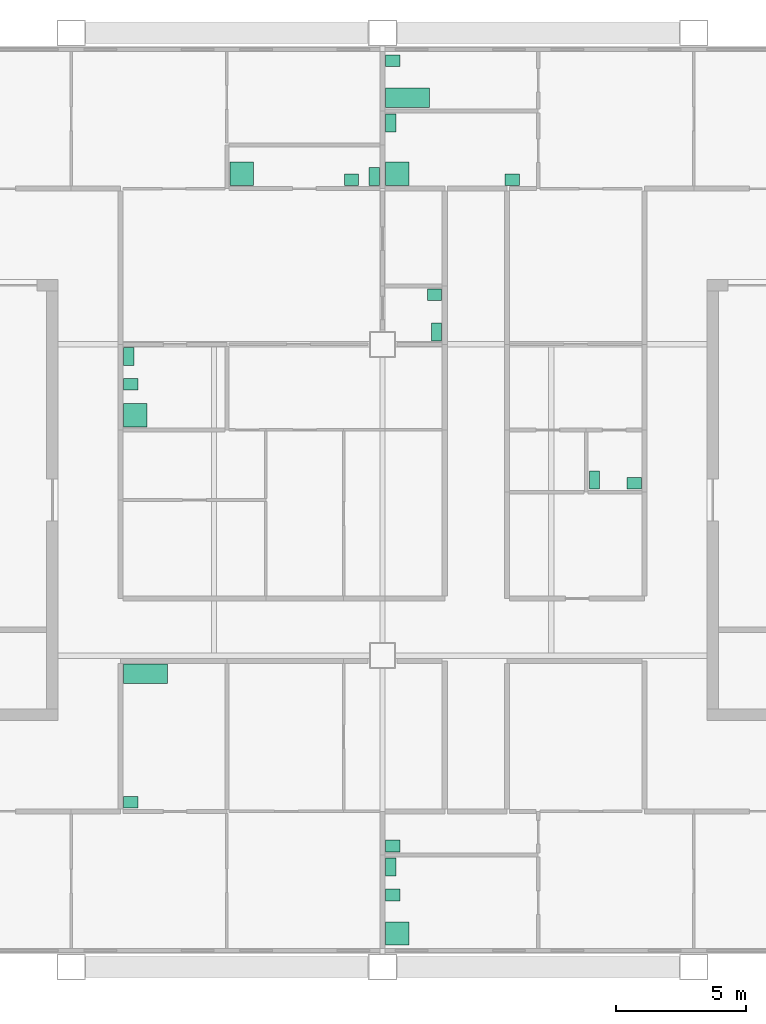
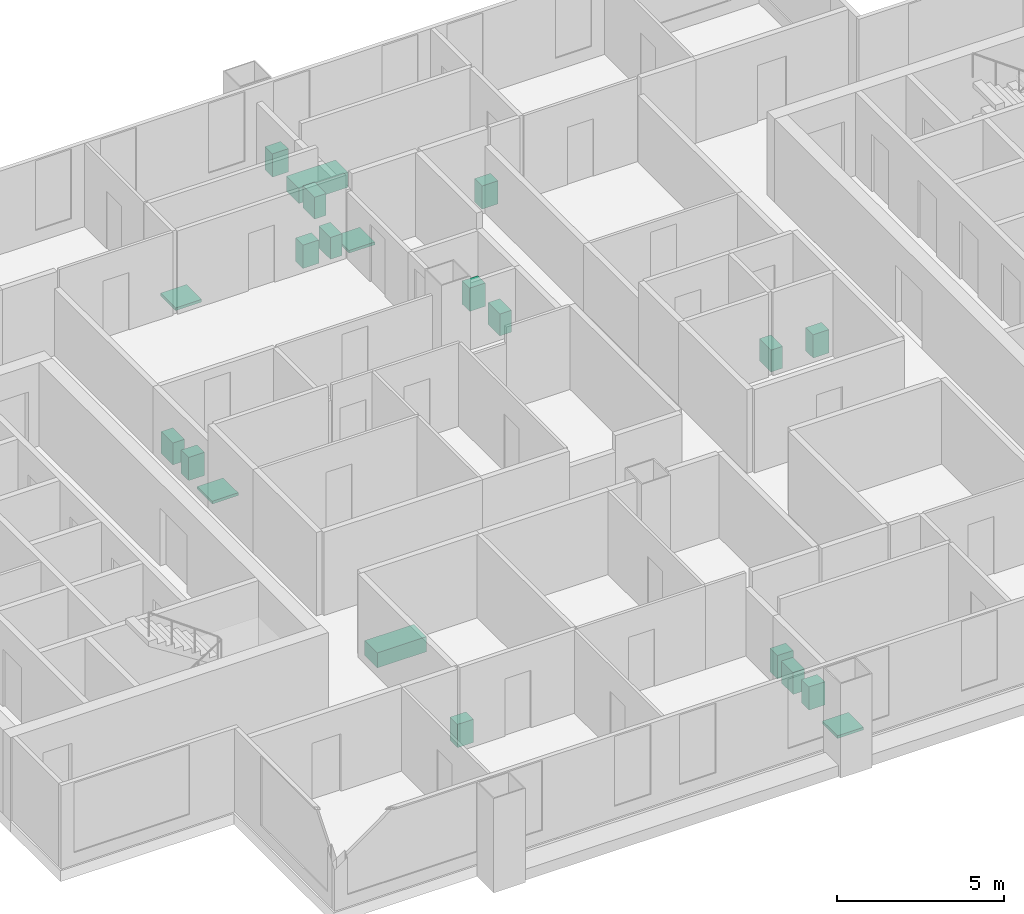
# One storey, part 9 of 9: 21 sanitary terminals.
"""IFC4 building model written with IfcOpenShell, lengths in metres."""

from ifc_helpers import new_model, si_unit, direction, frame, origin, origin_2d, place, context, subcontext, project, spatial, rectangle, extrude, material, type_object, element, save


model = new_model("IFC4")

# Units and contexts
model_context = context("Model", 3, precision=1e-05, world=origin(), true_north=direction((0.0, 1.0)))
body_context = subcontext(model_context, "Body", "Model", "MODEL_VIEW")
ifc_project = project(units=[si_unit("LENGTHUNIT", "METRE"), si_unit("AREAUNIT", "SQUARE_METRE"), si_unit("VOLUMEUNIT", "CUBIC_METRE"), si_unit("PLANEANGLEUNIT", "RADIAN"), si_unit("MASSUNIT", "GRAM", prefix="KILO")], contexts=[model_context])

# Site, building, storey
site_placement = place(None, origin())
site = spatial("IfcSite", under=ifc_project, at=site_placement, CompositionType="ELEMENT")
building_placement = place(site_placement, origin())
building = spatial("IfcBuilding", under=site, at=building_placement, Name="Kitamizu Gate Tower and Museum", CompositionType="ELEMENT")
storey_placement = place(building_placement, frame((0.0, 0.0, 221.39990234375)))
storey = spatial("IfcBuildingStorey", under=building, at=storey_placement, Name="L59", CompositionType="ELEMENT", Elevation=221.39990234375)

# Sanitary terminals
ifc_material_1 = material(Name="Acrylic")
sanitary_terminal_type_1 = type_object("IfcSanitaryTerminalType", Name="Bath", PredefinedType="BATH", material=ifc_material_1)
for number, where, z_axis, x_axis, name in (
    (1, (26.8701171875, 23.304931640625, 0.0009765625), (0.0, 0.0, 1.0), (1.0, 0.0, 0.0), "Bath Bathroom and WC 59A"),
    (2, (36.969970703125, 45.4951171875, 0.0009765625), (0.0, 0.0, 1.0), (1.0, 0.0, 0.0), "Bath Bathroom 59D"),
):
    element("IfcSanitaryTerminal", number, at=place(storey_placement, frame(where, z_axis=z_axis, x_axis=x_axis)), inside=storey, type_object=sanitary_terminal_type_1, Name=name, PredefinedType="BATH", context=body_context, shape_type="SweptSolid", body=[
        extrude(rectangle(XDim=1.699951171875, YDim=0.75, at=origin_2d()), origin(), (0.0, 0.0, 1.0), 0.550048828125),
    ])
ifc_material_2 = material(Name="Acrylic")
sanitary_terminal_type_2 = type_object("IfcSanitaryTerminalType", Name="Shower tray", PredefinedType="SHOWER", material=ifc_material_2)
for number, where, z_axis, x_axis, name in (
    (3, (36.570068359375, 13.2900390625, 0.0009765625), (0.0, 0.0, 1.0), (1.0, 0.0, 0.0), "Shower tray En-suite bathroom and WC 59B"),
    (4, (30.570068359375, 42.570068359375, 0.0009765625), (0.0, 0.0, 1.0), (1.0, 0.0, 0.0), "Shower tray En-suite bathroom 59C"),
    (5, (26.469970703125, 33.27001953125, 0.0009765625), (0.0, 0.0, 1.0), (1.0, 0.0, 0.0), "Shower tray En-suite bathroom 59C"),
    (6, (36.570068359375, 42.570068359375, 0.0009765625), (0.0, 0.0, 1.0), (1.0, 0.0, 0.0), "Shower tray En-suite bathroom 59D"),
):
    element("IfcSanitaryTerminal", number, at=place(storey_placement, frame(where, z_axis=z_axis, x_axis=x_axis)), inside=storey, type_object=sanitary_terminal_type_2, Name=name, PredefinedType="SHOWER", context=body_context, shape_type="SweptSolid", body=[
        extrude(rectangle(XDim=0.89990234375, YDim=0.89990234375, at=origin_2d()), origin(), (0.0, 0.0, 1.0), 0.10009765625),
    ])
ifc_material_3 = material(Name="Vitreous china")
sanitary_terminal_type_3 = type_object("IfcSanitaryTerminalType", Name="Wash hand basin", PredefinedType="WASHHANDBASIN", material=ifc_material_3)
for number, where, z_axis, x_axis, name in (
    (7, (26.294921875, 18.344970703125, 0.0009765625), (0.0, 0.0, 1.0), (1.0, 0.0, 0.0), "Wash hand basin Bathroom and WC 59A"),
    (8, (36.39501953125, 14.77490234375, 0.0009765625), (0.0, 0.0, 1.0), (1.0, 0.0, 0.0), "Wash hand basin En-suite bathroom and WC 59B"),
    (9, (36.39501953125, 16.6650390625, 0.0009765625), (0.0, 0.0, 1.0), (1.0, 0.0, 0.0), "Wash hand basin Wash room 59B"),
    (10, (34.804931640625, 42.344970703125, 0.0009765625), (0.0, 0.0, 1.0), (1.0, 0.0, 0.0), "Wash hand basin En-suite bathroom 59C"),
    (11, (38.0048828125, 37.905029296875, 0.0009765625), (0.0, 0.0, 1.0), (1.0, 0.0, 0.0), "Wash hand basin WC 59C"),
    (12, (26.294921875, 34.455078125, 0.0009765625), (0.0, 0.0, 1.0), (1.0, 0.0, 0.0), "Wash hand basin En-suite bathroom 59C"),
    (13, (41.0048828125, 42.344970703125, 0.0009765625), (0.0, 0.0, 1.0), (1.0, 0.0, 0.0), "Wash hand basin En-suite bathroom 59D"),
    (14, (36.39501953125, 46.93505859375, 0.0009765625), (0.0, 0.0, 1.0), (1.0, 0.0, 0.0), "Wash hand basin Bathroom 59D"),
    (15, (45.705078125, 30.64501953125, 0.0009765625), (0.0, 0.0, 1.0), (1.0, 0.0, 0.0), "Wash hand basin WC 59D"),
):
    element("IfcSanitaryTerminal", number, at=place(storey_placement, frame(where, z_axis=z_axis, x_axis=x_axis)), inside=storey, type_object=sanitary_terminal_type_3, Name=name, PredefinedType="WASHHANDBASIN", context=body_context, shape_type="SweptSolid", body=[
        extrude(rectangle(XDim=0.550048828125, YDim=0.449951171875, at=origin_2d()), origin(), (0.0, 0.0, 1.0), 0.85009765625),
    ])
ifc_material_4 = material(Name="Vitreous china")
sanitary_terminal_type_4 = type_object("IfcSanitaryTerminalType", Name="Water closet", PredefinedType="TOILETPAN", material=ifc_material_4)
for number, where, z_axis, x_axis, name in (
    (16, (36.320068359375, 15.85009765625, 0.0009765625), (0.0, 0.0, 1.0), (1.0, 0.0, 0.0), "Water closet En-suite bathroom and WC 59B"),
    (17, (35.679931640625, 42.469970703125, 0.0009765625), (0.0, 0.0, 1.0), (1.0, 0.0, 0.0), "Water closet En-suite bathroom 59C"),
    (18, (38.080078125, 36.469970703125, 0.0009765625), (0.0, 0.0, 1.0), (1.0, 0.0, 0.0), "Water closet WC 59C"),
    (19, (26.219970703125, 35.530029296875, 0.0009765625), (0.0, 0.0, 1.0), (1.0, 0.0, 0.0), "Water closet En-suite bathroom 59C"),
    (20, (36.320068359375, 44.530029296875, 0.0009765625), (0.0, 0.0, 1.0), (1.0, 0.0, 0.0), "Water closet En-suite bathroom 59D"),
    (21, (44.169921875, 30.77001953125, 0.0009765625), (0.0, 0.0, 1.0), (1.0, 0.0, 0.0), "Water closet WC 59D"),
):
    element("IfcSanitaryTerminal", number, at=place(storey_placement, frame(where, z_axis=z_axis, x_axis=x_axis)), inside=storey, type_object=sanitary_terminal_type_4, Name=name, PredefinedType="TOILETPAN", context=body_context, shape_type="SweptSolid", body=[
        extrude(rectangle(XDim=0.39990234375, YDim=0.699951171875, at=origin_2d()), origin(), (0.0, 0.0, 1.0), 0.800048828125),
    ])

save(model, "model.ifc")
